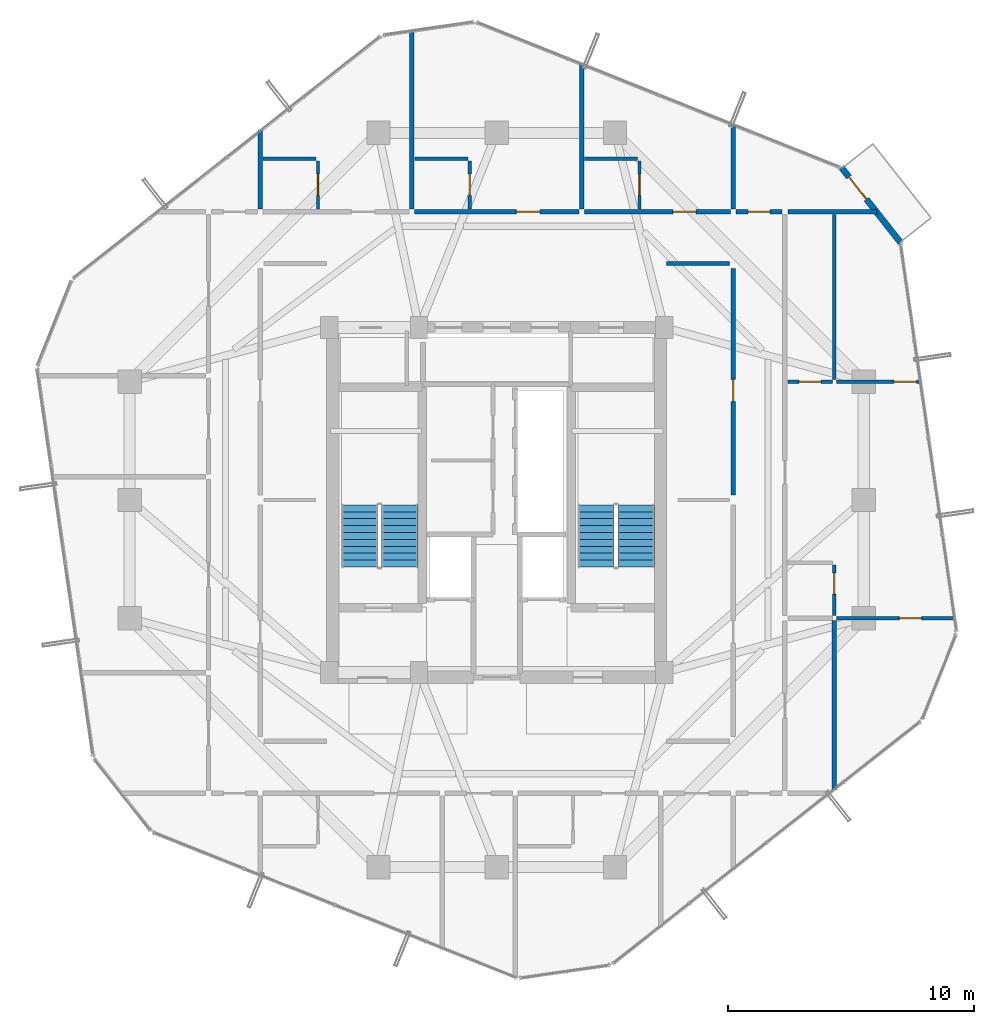
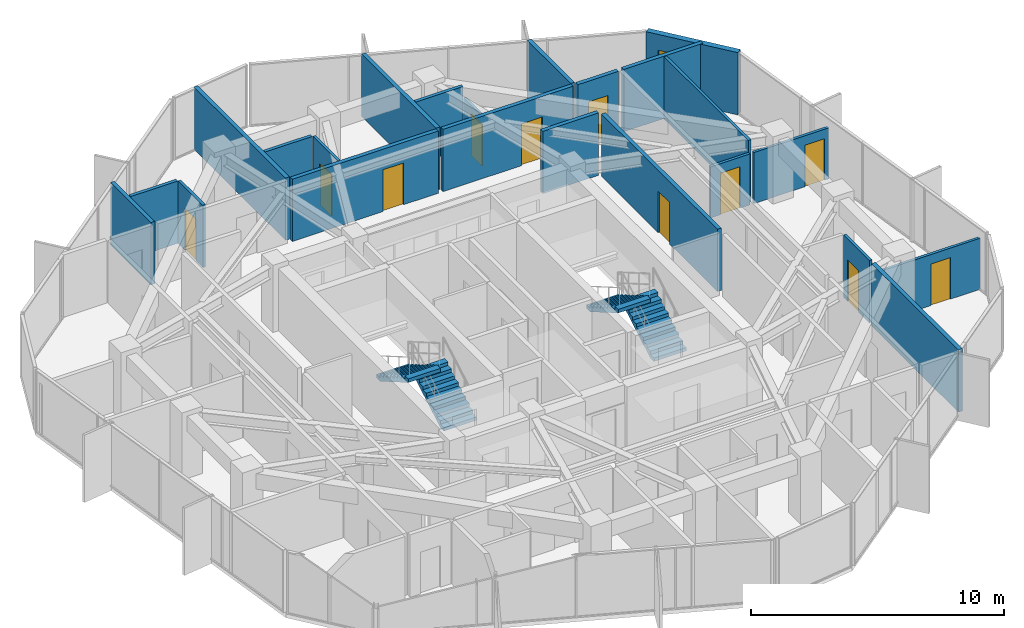
# One storey, part 29 of 31: 23 walls, 12 doors, 4 stair flights, 12 openings, 2 elements without a shape of their own.
"""IFC4 building model written with IfcOpenShell, lengths in metres."""

import ifcopenshell
import ifcopenshell.guid

model = None  # the IFC model being written
_history = None  # IfcOwnerHistory: only IFC2X3 demands one
_inside = {}  # id of a spatial element -> (the spatial element, [elements in it])
_under = {}  # id of a project, library or spatial element -> (it, [spatial elements below it])
_declared = {}  # id of a project -> (the project, [libraries it declares])
_typed = {}  # id of a type object -> (the type object, [elements of that type])
_made_of = {}  # id of a material, layer set ... -> (it, [elements and type objects made of it])


def new_model(schema):
    """Start an empty IFC model of exactly this schema.

    Asked for "IFC4X3", IfcOpenShell would pick the latest addendum, in which some entities
    have other attributes; the version numbers below select the first issue.
    IFC2X3 requires an IfcOwnerHistory on every rooted entity: one is made here for all.
    """
    global model, _history
    if schema == "IFC4X3":
        model = ifcopenshell.file(schema_version=(4, 3, 0, 0))
    else:
        model = ifcopenshell.file(schema=schema)
    _inside.clear()
    _under.clear()
    _declared.clear()
    _typed.clear()
    _made_of.clear()
    _history = None
    if model.schema == "IFC2X3":
        org = make("IfcOrganization", Name="unknown")
        user = make(
            "IfcPersonAndOrganization",
            ThePerson=make("IfcPerson", FamilyName="unknown"),
            TheOrganization=org,
        )
        app = make(
            "IfcApplication",
            ApplicationDeveloper=org,
            Version="unknown",
            ApplicationFullName="unknown",
            ApplicationIdentifier="unknown",
        )
        _history = make(
            "IfcOwnerHistory",
            OwningUser=user,
            OwningApplication=app,
            ChangeAction="ADDED",
            CreationDate=0,
        )
    return model


def make(cls, **values):
    """One entity of the class cls with the attributes given. An attribute that is None is left unset."""
    return model.create_entity(
        cls, **{name: value for name, value in values.items() if value is not None}
    )


def rooted(cls, **values):
    """An entity with a GlobalId (a new one), such as an element, a storey or a relation."""
    return make(cls, GlobalId=ifcopenshell.guid.new(), OwnerHistory=_history, **values)


def si_unit(unit_type, name, prefix=None):
    """IfcSIUnit, for example si_unit("LENGTHUNIT", "METRE", prefix="MILLI")."""
    return make("IfcSIUnit", UnitType=unit_type, Prefix=prefix, Name=name)


def assignment(units):
    """IfcUnitAssignment: the units of a project."""
    return None if units is None else make("IfcUnitAssignment", Units=units)


def point(xyz):
    """IfcCartesianPoint."""
    return None if xyz is None else make("IfcCartesianPoint", Coordinates=xyz)


def direction(xyz):
    """IfcDirection."""
    return None if xyz is None else make("IfcDirection", DirectionRatios=xyz)


def frame(location, z_axis=None, x_axis=None):
    """IfcAxis2Placement3D, a coordinate frame: its origin and axes. An axis left out is left unset."""
    return make(
        "IfcAxis2Placement3D",
        Location=point(location),
        Axis=direction(z_axis),
        RefDirection=direction(x_axis),
    )


def frame_2d(location, x_axis=None):
    """IfcAxis2Placement2D, a coordinate frame in the plane: its origin and x axis."""
    return make(
        "IfcAxis2Placement2D", Location=point(location), RefDirection=direction(x_axis)
    )


def origin():
    """The frame at (0, 0, 0) with its axes left unset."""
    return frame((0.0, 0.0, 0.0))


def place(relative_to, where):
    """IfcLocalPlacement: puts the frame where relative to a parent placement (None: the world)."""
    return make(
        "IfcLocalPlacement", PlacementRelTo=relative_to, RelativePlacement=where
    )


def context(
    kind, dimensions, precision=None, world=None, true_north=None, identifier=None
):
    """IfcGeometricRepresentationContext, for example the 3D "Model" context."""
    return make(
        "IfcGeometricRepresentationContext",
        ContextIdentifier=identifier,
        ContextType=kind,
        CoordinateSpaceDimension=dimensions,
        Precision=precision,
        WorldCoordinateSystem=world,
        TrueNorth=true_north,
    )


def subcontext(parent, identifier, kind, view, scale=None):
    """IfcGeometricRepresentationSubContext, for example "Body" below "Model"."""
    return make(
        "IfcGeometricRepresentationSubContext",
        ContextIdentifier=identifier,
        ContextType=kind,
        ParentContext=parent,
        TargetScale=scale,
        TargetView=view,
    )


def project(units=None, contexts=None):
    """IfcProject with its units and contexts."""
    return rooted(
        "IfcProject",
        Name="project",
        RepresentationContexts=contexts,
        UnitsInContext=assignment(units),
    )


def spatial(cls, under=None, at=None, **own):
    """A site, building, storey or space (cls), placed at a placement, below another one or the project."""
    s = rooted(cls, ObjectPlacement=at, **own)
    if under is not None:
        _under.setdefault(under.id(), (under, []))[1].append(s)
    return s


def polyline(points):
    """IfcPolyline through the points."""
    return make("IfcPolyline", Points=[point(p) for p in points])


def profile(cls, at=None, kind="AREA", **sizes):
    """A parametric profile (cls). Its sizes go by their IFC names, for example OverallWidth=200.0."""
    return make(cls, ProfileType=kind, Position=at, **sizes)


def rectangle(**sizes):
    """IfcRectangleProfileDef."""
    return profile("IfcRectangleProfileDef", **sizes)


def outline(outer, holes=None, kind="AREA"):
    """IfcArbitraryClosedProfileDef: a profile drawn as a closed curve; with holes, ...WithVoids."""
    if holes is None:
        return make("IfcArbitraryClosedProfileDef", ProfileType=kind, OuterCurve=outer)
    return make(
        "IfcArbitraryProfileDefWithVoids",
        ProfileType=kind,
        OuterCurve=outer,
        InnerCurves=holes,
    )


def extrude(swept, where, along, depth):
    """IfcExtrudedAreaSolid: the profile swept, set in the frame where, extruded along a direction by depth."""
    return make(
        "IfcExtrudedAreaSolid",
        SweptArea=swept,
        Position=where,
        ExtrudedDirection=direction(along),
        Depth=depth,
    )


def shape(context_of_items, identifier, shape_type, items):
    """IfcShapeRepresentation: the items that make up one representation, for example the "Body"."""
    return make(
        "IfcShapeRepresentation",
        ContextOfItems=context_of_items,
        RepresentationIdentifier=identifier,
        RepresentationType=shape_type,
        Items=items,
    )


def source(mapping_origin, context_of_items, identifier, shape_type, items):
    """IfcRepresentationMap: a shape defined once, which mapped items show again and again."""
    return make(
        "IfcRepresentationMap",
        MappingOrigin=mapping_origin,
        MappedRepresentation=shape(context_of_items, identifier, shape_type, items),
    )


def transform(
    local_origin,
    x_axis=None,
    y_axis=None,
    z_axis=None,
    scale=None,
    scale2=None,
    scale3=None,
    uniform=True,
):
    """IfcCartesianTransformationOperator3D, or its non-uniform kind. x_axis, y_axis, z_axis: its Axis1, 2, 3."""
    if uniform:
        return make(
            "IfcCartesianTransformationOperator3D",
            Axis1=direction(x_axis),
            Axis2=direction(y_axis),
            LocalOrigin=point(local_origin),
            Scale=scale,
            Axis3=direction(z_axis),
        )
    return make(
        "IfcCartesianTransformationOperator3DnonUniform",
        Axis1=direction(x_axis),
        Axis2=direction(y_axis),
        LocalOrigin=point(local_origin),
        Scale=scale,
        Axis3=direction(z_axis),
        Scale2=scale2,
        Scale3=scale3,
    )


def mapped(mapping_source, mapping_target):
    """IfcMappedItem: shows the shape of a source again, moved by a transform."""
    return make(
        "IfcMappedItem", MappingSource=mapping_source, MappingTarget=mapping_target
    )


def material(Name=None, Category=None):
    """IfcMaterial."""
    return make("IfcMaterial", Name=Name, Category=Category)


def layer(
    of_material, thickness, ventilated=None, Name=None, Category=None, Priority=None
):
    """IfcMaterialLayer: one layer of a wall or slab, of a material (None: an air gap)."""
    return make(
        "IfcMaterialLayer",
        Material=of_material,
        LayerThickness=thickness,
        IsVentilated=ventilated,
        Name=Name,
        Category=Category,
        Priority=Priority,
    )


def layer_set(layers, Name=None):
    """IfcMaterialLayerSet."""
    return make("IfcMaterialLayerSet", MaterialLayers=layers, LayerSetName=Name)


def made_of(thing, what):
    """Note that an element or type object is made of a material, layer set ...; save() writes the relation."""
    if what is not None:
        _made_of.setdefault(what.id(), (what, []))[1].append(thing)
    return thing


def type_object(cls, material=None, **own):
    """A type object (cls), such as IfcWallType, which elements share."""
    return made_of(rooted(cls, **own), material)


def element(
    cls,
    number,
    at=None,
    inside=None,
    cuts=None,
    type_object=None,
    material=None,
    context=None,
    identifier="Body",
    shape_type=None,
    held_by="IfcProductDefinitionShape",
    body=None,
    shapes=None,
    **own,
):
    """One element of the class cls, such as IfcWall. Its Tag is "e" and its number.

    at: its placement. inside: the storey or other place that contains it. cuts: it is an
    opening in that element (IfcRelVoidsElement). A single representation is given by context,
    identifier, shape_type and body (its items); several are given by shapes. held_by: the class
    of the entity that holds the representations. save() writes the other relations.
    """
    e = rooted(cls, Tag="e%d" % number, ObjectPlacement=at, **own)
    if body is not None:
        shapes = [shape(context, identifier, shape_type, body)]
    if shapes is not None:
        e.Representation = make(held_by, Representations=shapes)
    if inside is not None:
        _inside.setdefault(inside.id(), (inside, []))[1].append(e)
    if cuts is not None:
        rooted(
            "IfcRelVoidsElement", RelatingBuildingElement=cuts, RelatedOpeningElement=e
        )
    if type_object is not None:
        _typed.setdefault(type_object.id(), (type_object, []))[1].append(e)
    return made_of(e, material)


def fill(opening, filler):
    """IfcRelFillsElement: the door or window that sits in an opening."""
    return rooted(
        "IfcRelFillsElement",
        RelatingOpeningElement=opening,
        RelatedBuildingElement=filler,
    )


def aggregate(whole, parts):
    """IfcRelAggregates: a whole, such as a stair, and the parts it consists of."""
    return rooted("IfcRelAggregates", RelatingObject=whole, RelatedObjects=parts)


def save(model, path):
    """Write the relations noted so far, then the file.

    IfcRelAggregates (storeys below a building ...), IfcRelContainedInSpatialStructure (elements
    in a storey), IfcRelDefinesByType, IfcRelAssociatesMaterial and IfcRelDeclares: one each for
    every whole, place, type object, material and project.
    """
    for whole, parts in _under.values():
        aggregate(whole, parts)
    for where, things in _inside.values():
        rooted(
            "IfcRelContainedInSpatialStructure",
            RelatedElements=things,
            RelatingStructure=where,
        )
    for kind, things in _typed.values():
        rooted("IfcRelDefinesByType", RelatedObjects=things, RelatingType=kind)
    for what, things in _made_of.values():
        rooted("IfcRelAssociatesMaterial", RelatedObjects=things, RelatingMaterial=what)
    for by, libraries in _declared.values():
        rooted("IfcRelDeclares", RelatingContext=by, RelatedDefinitions=libraries)
    model.write(path)


model = new_model("IFC4")

# Units and contexts
model_context = context("Model", 3, precision=1e-05, world=origin(), true_north=direction((0.0, 1.0)))
body_context = subcontext(model_context, "Body", "Model", "MODEL_VIEW")
ifc_project = project(units=[si_unit("LENGTHUNIT", "METRE"), si_unit("AREAUNIT", "SQUARE_METRE"), si_unit("VOLUMEUNIT", "CUBIC_METRE"), si_unit("PLANEANGLEUNIT", "RADIAN"), si_unit("MASSUNIT", "GRAM", prefix="KILO")], contexts=[model_context])

# Site, building, storey
site_placement = place(None, origin())
site = spatial("IfcSite", under=ifc_project, at=site_placement, CompositionType="ELEMENT")
building_placement = place(site_placement, origin())
building = spatial("IfcBuilding", under=site, at=building_placement, Name="Veraguas Prism Commons", CompositionType="ELEMENT")
storey_placement = place(building_placement, frame((0.0, 0.0, 178.85009765625)))
storey = spatial("IfcBuildingStorey", under=building, at=storey_placement, Name="L50", CompositionType="ELEMENT", Elevation=178.85009765625)

# Wall, opening, door
ifc_material_1 = material(Name="Autoclaved aerated masonry block 10 MPa", Category="masonry")
ifc_layer_1 = layer(ifc_material_1, 0.179931640625, Name="Corridor and Inter-Tenancy Partition 180", Category="masonry")
ifc_layer_set_1 = layer_set([ifc_layer_1], Name="Autoclaved aerated masonry block 10 MPa")
wall_type_1 = type_object("IfcWallType", Name="Corridor and Inter-Tenancy Partition 180", PredefinedType="PARTITIONING", material=ifc_layer_set_1)
wall_1_placement = place(storey_placement, frame((33.60009765625, 24.199951171875, 0.0), z_axis=(0.0, 0.0, 1.0), x_axis=(0.0, 1.0, 0.0)))
wall_1 = element("IfcWall", 1, at=wall_1_placement, inside=storey, type_object=wall_type_1, Name="WL-L50-IRE2", PredefinedType="PARTITIONING", context=body_context, shape_type="SweptSolid", body=[
    extrude(rectangle(XDim=9.199951171875, YDim=0.179931640625, at=frame_2d((4.60009765625, 0.0))), origin(), (0.0, 0.0, 1.0), 3.014892578125),
])
opening_1_placement = place(wall_1_placement, frame((3.800048828125, 0.0, 0.0)))
opening_1 = element("IfcOpeningElement", 2, at=opening_1_placement, cuts=wall_1, Name="Opening DR-14", PredefinedType="OPENING", context=body_context, shape_type="SweptSolid", body=[
    extrude(rectangle(XDim=0.89990234375, YDim=2.010009765625, at=frame_2d((0.449951171875, 1.0048828125))), frame((0.0, 0.099853515625, 0.0), z_axis=(0.0, -1.0, 0.0), x_axis=(1.0, 0.0, 0.0)), (0.0, 0.0, 1.0), 0.199951171875),
])
ifc_material_2 = material(Name="Steel fire-rated door assembly", Category="steel")
door_type_1 = type_object("IfcDoorType", Name="Core Service Room Fire Door 900x2010", OperationType="NOTDEFINED", PredefinedType="DOOR", material=ifc_material_2)
shared_shape_1 = source(origin(), body_context, "Body", "SweptSolid", [
    extrude(rectangle(XDim=0.89990234375, YDim=2.010009765625, at=frame_2d((0.449951171875, 1.0048828125))), frame((0.0, 0.02490234375, 0.0), z_axis=(0.0, -1.0, 0.0), x_axis=(1.0, 0.0, 0.0)), (0.0, 0.0, 1.0), 0.050048828125),
])
door_1_placement = place(opening_1_placement, origin())
door_1 = element("IfcDoor", 3, at=door_1_placement, inside=storey, type_object=door_type_1, Name="Community Reading Alcove Door L50", OperationType="SINGLE_SWING_RIGHT", OverallHeight=2.010009765625, OverallWidth=0.89990234375, PredefinedType="DOOR", context=body_context, shape_type="MappedRepresentation", body=[
    mapped(shared_shape_1, transform((0.0, 0.0, 0.0), scale=1.0)),
])
fill(opening_1, door_1)

# Walls
wall_2_placement = place(storey_placement, frame((30.89990234375, 33.60009765625, 0.0), z_axis=(0.0, 0.0, 1.0), x_axis=(1.0, 0.0, 0.0)))
element("IfcWall", 4, at=wall_2_placement, inside=storey, type_object=wall_type_1, Name="WL-L50-IREN", PredefinedType="PARTITIONING", context=body_context, shape_type="SweptSolid", body=[
    extrude(rectangle(XDim=2.550048828125, YDim=0.179931640625, at=frame_2d((1.27490234375, 0.0))), origin(), (0.0, 0.0, 1.0), 3.014892578125),
])
wall_3_placement = place(storey_placement, frame((14.39990234375, 35.820068359375, 0.0), z_axis=(0.0, 0.0, 1.0), x_axis=(0.0, 1.0, 0.0)))
element("IfcWall", 5, at=wall_3_placement, inside=storey, type_object=wall_type_1, Name="WL-L50-PT014", PredefinedType="PARTITIONING", context=body_context, shape_type="SweptSolid", body=[
    extrude(rectangle(XDim=3.20068359375, YDim=0.179931640625, at=frame_2d((1.600341796875, 0.0))), origin(), (0.0, 0.0, 1.0), 3.014892578125),
])
wall_4_placement = place(storey_placement, frame((33.60009765625, 35.820068359375, 0.0), z_axis=(0.0, 0.0, 1.0), x_axis=(0.0, 1.0, 0.0)))
element("IfcWall", 6, at=wall_4_placement, inside=storey, type_object=wall_type_1, Name="WL-L50-PT015", PredefinedType="PARTITIONING", context=body_context, shape_type="SweptSolid", body=[
    extrude(rectangle(XDim=3.447998046875, YDim=0.179931640625, at=frame_2d((1.72412109375, 0.0))), origin(), (0.0, 0.0, 1.0), 3.014892578125),
])
wall_5_placement = place(storey_placement, frame((20.555908203125, 35.820068359375, 0.0), z_axis=(0.0, 0.0, 1.0), x_axis=(0.0, 1.0, 0.0)))
element("IfcWall", 7, at=wall_5_placement, inside=storey, type_object=wall_type_1, Name="WL-L50-PT019", PredefinedType="PARTITIONING", context=body_context, shape_type="SweptSolid", body=[
    extrude(rectangle(XDim=7.256591796875, YDim=0.179931640625, at=frame_2d((3.62841796875, 0.0))), origin(), (0.0, 0.0, 1.0), 3.014892578125),
])

# Wall, opening, door
wall_6_placement = place(storey_placement, frame((20.666015625, 35.699951171875, 0.0), z_axis=(0.0, 0.0, 1.0), x_axis=(1.0, 0.0, 0.0)))
wall_6 = element("IfcWall", 8, at=wall_6_placement, inside=storey, type_object=wall_type_1, Name="WL-L50-PT020", PredefinedType="PARTITIONING", context=body_context, shape_type="SweptSolid", body=[
    extrude(rectangle(XDim=6.66796875, YDim=0.179931640625, at=frame_2d((3.333984375, 0.0))), origin(), (0.0, 0.0, 1.0), 3.014892578125),
])
opening_2_placement = place(wall_6_placement, frame((4.13525390625, 0.0, 0.0)))
opening_2 = element("IfcOpeningElement", 9, at=opening_2_placement, cuts=wall_6, Name="Opening DR-01", PredefinedType="OPENING", context=body_context, shape_type="SweptSolid", body=[
    extrude(rectangle(XDim=0.949951171875, YDim=2.02001953125, at=frame_2d((0.47509765625, 1.010009765625))), frame((0.0, 0.099853515625, 0.0), z_axis=(0.0, -1.0, 0.0), x_axis=(1.0, 0.0, 0.0)), (0.0, 0.0, 1.0), 0.199951171875),
])
ifc_material_3 = material(Name="Anodised aluminium EN AW-6063 T6", Category="aluminium")
door_type_2 = type_object("IfcDoorType", Name="Apartment Entrance Fire Door 950x2020", OperationType="NOTDEFINED", PredefinedType="DOOR", material=ifc_material_3)
shared_shape_2 = source(origin(), body_context, "Body", "SweptSolid", [
    extrude(rectangle(XDim=0.949951171875, YDim=2.02001953125, at=frame_2d((0.47509765625, 1.010009765625))), frame((0.0, 0.02490234375, 0.0), z_axis=(0.0, -1.0, 0.0), x_axis=(1.0, 0.0, 0.0)), (0.0, 0.0, 1.0), 0.050048828125),
])
door_2_placement = place(opening_2_placement, origin())
door_2 = element("IfcDoor", 10, at=door_2_placement, inside=storey, type_object=door_type_2, Name="Studio 50D Entrance Door", OperationType="SINGLE_SWING_LEFT", OverallHeight=2.02001953125, OverallWidth=0.949951171875, PredefinedType="DOOR", context=body_context, shape_type="MappedRepresentation", body=[
    mapped(shared_shape_2, transform((0.0, 0.0, 0.0), scale=1.0)),
])
fill(opening_2, door_2)

# Wall
wall_7_placement = place(storey_placement, frame((27.444091796875, 35.820068359375, 0.0), z_axis=(0.0, 0.0, 1.0), x_axis=(0.0, 1.0, 0.0)))
element("IfcWall", 11, at=wall_7_placement, inside=storey, type_object=wall_type_1, Name="WL-L50-PT023", PredefinedType="PARTITIONING", context=body_context, shape_type="SweptSolid", body=[
    extrude(rectangle(XDim=5.90771484375, YDim=0.179931640625, at=frame_2d((2.953857421875, 0.0))), origin(), (0.0, 0.0, 1.0), 3.014892578125),
])

# Wall, opening, door
wall_8_placement = place(storey_placement, frame((27.553955078125, 35.699951171875, 0.0), z_axis=(0.0, 0.0, 1.0), x_axis=(1.0, 0.0, 0.0)))
wall_8 = element("IfcWall", 12, at=wall_8_placement, inside=storey, type_object=wall_type_1, Name="WL-L50-PT024", PredefinedType="PARTITIONING", context=body_context, shape_type="SweptSolid", body=[
    extrude(rectangle(XDim=5.93603515625, YDim=0.179931640625, at=frame_2d((2.968017578125, 0.0))), origin(), (0.0, 0.0, 1.0), 3.014892578125),
])
opening_3_placement = place(wall_8_placement, frame((3.593505859375, 0.0, 0.0)))
opening_3 = element("IfcOpeningElement", 13, at=opening_3_placement, cuts=wall_8, Name="Opening DR-01", PredefinedType="OPENING", context=body_context, shape_type="SweptSolid", body=[
    extrude(rectangle(XDim=0.949951171875, YDim=2.02001953125, at=frame_2d((0.47509765625, 1.010009765625))), frame((0.0, 0.099853515625, 0.0), z_axis=(0.0, -1.0, 0.0), x_axis=(1.0, 0.0, 0.0)), (0.0, 0.0, 1.0), 0.199951171875),
])
door_3_placement = place(opening_3_placement, origin())
door_3 = element("IfcDoor", 14, at=door_3_placement, inside=storey, type_object=door_type_2, Name="Studio 50E Entrance Door", OperationType="SINGLE_SWING_LEFT", OverallHeight=2.02001953125, OverallWidth=0.949951171875, PredefinedType="DOOR", context=body_context, shape_type="MappedRepresentation", body=[
    mapped(shared_shape_2, transform((0.0, 0.0, 0.0), scale=1.0)),
])
fill(opening_3, door_3)

# Walls
wall_9_placement = place(storey_placement, frame((35.820068359375, 35.699951171875, 0.0), z_axis=(0.0, 0.0, 1.0), x_axis=(1.0, 0.0, 0.0)))
element("IfcWall", 15, at=wall_9_placement, inside=storey, type_object=wall_type_1, Name="WL-L50-PT037", PredefinedType="PARTITIONING", context=body_context, shape_type="SweptSolid", body=[
    extrude(rectangle(XDim=3.625244140625, YDim=0.179931640625, at=frame_2d((1.8125, 0.0))), origin(), (0.0, 0.0, 1.0), 3.014892578125),
])
wall_10_placement = place(storey_placement, frame((37.699951171875, 12.219970703125, 0.0), z_axis=(0.0, 0.0, 1.0), x_axis=(0.0, 1.0, 0.0)))
element("IfcWall", 16, at=wall_10_placement, inside=storey, type_object=wall_type_1, Name="WL-L50-PT040", PredefinedType="PARTITIONING", context=body_context, shape_type="SweptSolid", body=[
    extrude(rectangle(XDim=6.880126953125, YDim=0.179931640625, at=frame_2d((3.43994140625, 0.0))), origin(), (0.0, 0.0, 1.0), 3.014892578125),
])

# Wall, opening, door
wall_11_placement = place(storey_placement, frame((33.719970703125, 35.699951171875, 0.0), z_axis=(0.0, 0.0, 1.0), x_axis=(1.0, 0.0, 0.0)))
wall_11 = element("IfcWall", 17, at=wall_11_placement, inside=storey, type_object=wall_type_1, Name="WL-L50-PT051", PredefinedType="PARTITIONING", context=body_context, shape_type="SweptSolid", body=[
    extrude(rectangle(XDim=1.860107421875, YDim=0.179931640625, at=frame_2d((0.93017578125, 0.0))), origin(), (0.0, 0.0, 1.0), 3.014892578125),
])
opening_4_placement = place(wall_11_placement, frame((0.47998046875, 0.0, 0.0)))
opening_4 = element("IfcOpeningElement", 18, at=opening_4_placement, cuts=wall_11, Name="Opening DR-14", PredefinedType="OPENING", context=body_context, shape_type="SweptSolid", body=[
    extrude(rectangle(XDim=0.89990234375, YDim=2.010009765625, at=frame_2d((0.449951171875, 1.0048828125))), frame((0.0, 0.099853515625, 0.0), z_axis=(0.0, -1.0, 0.0), x_axis=(1.0, 0.0, 0.0)), (0.0, 0.0, 1.0), 0.199951171875),
])
door_4_placement = place(opening_4_placement, origin())
door_4 = element("IfcDoor", 19, at=door_4_placement, inside=storey, type_object=door_type_1, Name="Shared Laundry Room NE Door", OperationType="SINGLE_SWING_RIGHT", OverallHeight=2.010009765625, OverallWidth=0.89990234375, PredefinedType="DOOR", context=body_context, shape_type="MappedRepresentation", body=[
    mapped(shared_shape_1, transform((0.0, 0.0, 0.0), scale=1.0)),
])
fill(opening_4, door_4)

ifc_material_4 = material(Name="Precast concrete C40/50", Category="concrete")
ifc_layer_2 = layer(ifc_material_4, 0.25, Name="External Loggia and Portal Wall 250", Category="concrete")
ifc_layer_set_2 = layer_set([ifc_layer_2], Name="Precast concrete C40/50")
wall_type_2 = type_object("IfcWallType", Name="External Loggia and Portal Wall 250", PredefinedType="SOLIDWALL", material=ifc_layer_set_2)
wall_12_placement = place(storey_placement, frame((40.40771484375, 34.4296875, 0.0), z_axis=(0.0, 0.0, 1.0), x_axis=(-0.618713620212, 0.78561660889, 0.0)))
wall_12 = element("IfcWall", 20, at=wall_12_placement, inside=storey, type_object=wall_type_2, Name="Corner Loggia Wall L50-C1", PredefinedType="SOLIDWALL", context=body_context, shape_type="SweptSolid", body=[
    extrude(rectangle(XDim=3.914306640625, YDim=0.25, at=frame_2d((1.95703125, 0.0))), origin(), (0.0, 0.0, 1.0), 3.014892578125),
])
opening_5_placement = place(wall_12_placement, frame((2.260009765625, 0.0, 0.0)))
opening_5 = element("IfcOpeningElement", 21, at=opening_5_placement, cuts=wall_12, Name="Opening DR-10", PredefinedType="OPENING", context=body_context, shape_type="SweptSolid", body=[
    extrude(rectangle(XDim=1.14990234375, YDim=2.25, at=frame_2d((0.574951171875, 1.125))), frame((0.0, 0.135009765625, 0.0), z_axis=(0.0, -1.0, 0.0), x_axis=(1.0, 0.0, 0.0)), (0.0, 0.0, 1.0), 0.27001953125),
])
door_type_3 = type_object("IfcDoorType", Name="Glazed Loggia and Terrace Door 1150x2250", OperationType="NOTDEFINED", PredefinedType="DOOR", material=ifc_material_3)
shared_shape_3 = source(origin(), body_context, "Body", "SweptSolid", [
    extrude(rectangle(XDim=1.14990234375, YDim=2.25, at=frame_2d((0.574951171875, 1.125))), frame((0.0, 0.02490234375, 0.0), z_axis=(0.0, -1.0, 0.0), x_axis=(1.0, 0.0, 0.0)), (0.0, 0.0, 1.0), 0.050048828125),
])
door_5_placement = place(opening_5_placement, frame((1.14990234375, 0.0, 0.0), z_axis=(0.0, 0.0, 1.0), x_axis=(-1.0, 0.0, 0.0)))
door_5 = element("IfcDoor", 22, at=door_5_placement, inside=storey, type_object=door_type_3, Name="Recessed Loggia Door L50-C1", OperationType="SINGLE_SWING_RIGHT", OverallHeight=2.25, OverallWidth=1.14990234375, PredefinedType="DOOR", context=body_context, shape_type="MappedRepresentation", body=[
    mapped(shared_shape_3, transform((0.0, 0.0, 0.0), scale=1.0)),
])
fill(opening_5, door_5)

ifc_material_5 = material(Name="Lightweight acoustic gypsum board")
ifc_layer_3 = layer(ifc_material_5, 0.125, Name="Internal Apartment Room Partition 125")
ifc_layer_set_3 = layer_set([ifc_layer_3], Name="Lightweight acoustic gypsum board")
wall_type_3 = type_object("IfcWallType", Name="Internal Apartment Room Partition 125", PredefinedType="PARTITIONING", material=ifc_layer_set_3)
wall_13_placement = place(storey_placement, frame((16.75, 35.820068359375, 0.0), z_axis=(0.0, 0.0, 1.0), x_axis=(0.0, 1.0, 0.0)))
wall_13 = element("IfcWall", 23, at=wall_13_placement, inside=storey, type_object=wall_type_3, Name="WL-L50-PT017", PredefinedType="PARTITIONING", context=body_context, shape_type="SweptSolid", body=[
    extrude(rectangle(XDim=1.949951171875, YDim=0.125, at=frame_2d((0.97509765625, 0.0))), origin(), (0.0, 0.0, 1.0), 3.014892578125),
])
opening_6_placement = place(wall_13_placement, frame((0.544921875, 0.0, 0.0)))
opening_6 = element("IfcOpeningElement", 24, at=opening_6_placement, cuts=wall_13, Name="Opening DR-03", PredefinedType="OPENING", context=body_context, shape_type="SweptSolid", body=[
    extrude(rectangle(XDim=0.860107421875, YDim=2.010009765625, at=frame_2d((0.43017578125, 1.0048828125))), frame((0.0, 0.072509765625, 0.0), z_axis=(0.0, -1.0, 0.0), x_axis=(1.0, 0.0, 0.0)), (0.0, 0.0, 1.0), 0.14501953125),
])
ifc_material_6 = material(Name="Timber moisture-resistant leaf", Category="wood")
door_type_4 = type_object("IfcDoorType", Name="Internal Bathroom Door 860x2010", OperationType="NOTDEFINED", PredefinedType="DOOR", material=ifc_material_6)
shared_shape_4 = source(origin(), body_context, "Body", "SweptSolid", [
    extrude(rectangle(XDim=0.860107421875, YDim=2.010009765625, at=frame_2d((0.43017578125, 1.0048828125))), frame((0.0, 0.02490234375, 0.0), z_axis=(0.0, -1.0, 0.0), x_axis=(1.0, 0.0, 0.0)), (0.0, 0.0, 1.0), 0.050048828125),
])
door_6_placement = place(opening_6_placement, origin())
door_6 = element("IfcDoor", 25, at=door_6_placement, inside=storey, type_object=door_type_4, Name="Studio 50C Bathroom Door", OperationType="SINGLE_SWING_RIGHT", OverallHeight=2.010009765625, OverallWidth=0.860107421875, PredefinedType="DOOR", context=body_context, shape_type="MappedRepresentation", body=[
    mapped(shared_shape_4, transform((0.0, 0.0, 0.0), scale=1.0)),
])
fill(opening_6, door_6)

wall_14_placement = place(storey_placement, frame((22.906005859375, 35.820068359375, 0.0), z_axis=(0.0, 0.0, 1.0), x_axis=(0.0, 1.0, 0.0)))
wall_14 = element("IfcWall", 26, at=wall_14_placement, inside=storey, type_object=wall_type_3, Name="WL-L50-PT021", PredefinedType="PARTITIONING", context=body_context, shape_type="SweptSolid", body=[
    extrude(rectangle(XDim=1.949951171875, YDim=0.125, at=frame_2d((0.97509765625, 0.0))), origin(), (0.0, 0.0, 1.0), 3.014892578125),
])
opening_7_placement = place(wall_14_placement, frame((0.544921875, 0.0, 0.0)))
opening_7 = element("IfcOpeningElement", 27, at=opening_7_placement, cuts=wall_14, Name="Opening DR-03", PredefinedType="OPENING", context=body_context, shape_type="SweptSolid", body=[
    extrude(rectangle(XDim=0.860107421875, YDim=2.010009765625, at=frame_2d((0.43017578125, 1.0048828125))), frame((0.0, 0.072509765625, 0.0), z_axis=(0.0, -1.0, 0.0), x_axis=(1.0, 0.0, 0.0)), (0.0, 0.0, 1.0), 0.14501953125),
])
door_7_placement = place(opening_7_placement, origin())
door_7 = element("IfcDoor", 28, at=door_7_placement, inside=storey, type_object=door_type_4, Name="Studio 50D Bathroom Door", OperationType="SINGLE_SWING_RIGHT", OverallHeight=2.010009765625, OverallWidth=0.860107421875, PredefinedType="DOOR", context=body_context, shape_type="MappedRepresentation", body=[
    mapped(shared_shape_4, transform((0.0, 0.0, 0.0), scale=1.0)),
])
fill(opening_7, door_7)

wall_15_placement = place(storey_placement, frame((29.7939453125, 35.820068359375, 0.0), z_axis=(0.0, 0.0, 1.0), x_axis=(0.0, 1.0, 0.0)))
wall_15 = element("IfcWall", 29, at=wall_15_placement, inside=storey, type_object=wall_type_3, Name="WL-L50-PT025", PredefinedType="PARTITIONING", context=body_context, shape_type="SweptSolid", body=[
    extrude(rectangle(XDim=1.949951171875, YDim=0.125, at=frame_2d((0.97509765625, 0.0))), origin(), (0.0, 0.0, 1.0), 2.468994140625),
])
opening_8_placement = place(wall_15_placement, frame((0.544921875, 0.0, 0.0)))
opening_8 = element("IfcOpeningElement", 30, at=opening_8_placement, cuts=wall_15, Name="Opening DR-03", PredefinedType="OPENING", context=body_context, shape_type="SweptSolid", body=[
    extrude(rectangle(XDim=0.860107421875, YDim=2.010009765625, at=frame_2d((0.43017578125, 1.0048828125))), frame((0.0, 0.072509765625, 0.0), z_axis=(0.0, -1.0, 0.0), x_axis=(1.0, 0.0, 0.0)), (0.0, 0.0, 1.0), 0.14501953125),
])
door_8_placement = place(opening_8_placement, origin())
door_8 = element("IfcDoor", 31, at=door_8_placement, inside=storey, type_object=door_type_4, Name="Studio 50E Bathroom Door", OperationType="SINGLE_SWING_RIGHT", OverallHeight=2.010009765625, OverallWidth=0.860107421875, PredefinedType="DOOR", context=body_context, shape_type="MappedRepresentation", body=[
    mapped(shared_shape_4, transform((0.0, 0.0, 0.0), scale=1.0)),
])
fill(opening_8, door_8)

wall_16_placement = place(storey_placement, frame((37.800048828125, 19.199951171875, 0.0), z_axis=(0.0, 0.0, 1.0), x_axis=(1.0, 0.0, 0.0)))
wall_16 = element("IfcWall", 32, at=wall_16_placement, inside=storey, type_object=wall_type_3, Name="WL-L50-PT042", PredefinedType="PARTITIONING", context=body_context, shape_type="SweptSolid", body=[
    extrude(rectangle(XDim=4.81787109375, YDim=0.125, at=frame_2d((2.408935546875, 0.0))), origin(), (0.0, 0.0, 1.0), 2.468994140625),
])
opening_9_placement = place(wall_16_placement, frame((2.545166015625, 0.0, 0.0)))
opening_9 = element("IfcOpeningElement", 33, at=opening_9_placement, cuts=wall_16, Name="Opening DR-02", PredefinedType="OPENING", context=body_context, shape_type="SweptSolid", body=[
    extrude(rectangle(XDim=0.89990234375, YDim=2.010009765625, at=frame_2d((0.449951171875, 1.0048828125))), frame((0.0, 0.072509765625, 0.0), z_axis=(0.0, -1.0, 0.0), x_axis=(1.0, 0.0, 0.0)), (0.0, 0.0, 1.0), 0.14501953125),
])
ifc_material_7 = material(Name="Timber solid core hardwood", Category="wood")
door_type_5 = type_object("IfcDoorType", Name="Internal Habitable Room Door 900x2010", OperationType="NOTDEFINED", PredefinedType="DOOR", material=ifc_material_7)
door_9_placement = place(opening_9_placement, origin())
door_9 = element("IfcDoor", 34, at=door_9_placement, inside=storey, type_object=door_type_5, Name="Flat 50F Bedroom 2 Door", OperationType="SINGLE_SWING_LEFT", OverallHeight=2.010009765625, OverallWidth=0.89990234375, PredefinedType="DOOR", context=body_context, shape_type="MappedRepresentation", body=[
    mapped(shared_shape_1, transform((0.0, 0.0, 0.0), scale=1.0)),
])
fill(opening_9, door_9)

wall_17_placement = place(storey_placement, frame((37.699951171875, 19.320068359375, 0.0), z_axis=(0.0, 0.0, 1.0), x_axis=(0.0, 1.0, 0.0)))
wall_17 = element("IfcWall", 35, at=wall_17_placement, inside=storey, type_object=wall_type_3, Name="WL-L50-PT044", PredefinedType="PARTITIONING", context=body_context, shape_type="SweptSolid", body=[
    extrude(rectangle(XDim=2.050048828125, YDim=0.125, at=frame_2d((1.02490234375, 0.0))), origin(), (0.0, 0.0, 1.0), 3.014892578125),
])
opening_10_placement = place(wall_17_placement, frame((0.8583984375, 0.0, 0.0)))
opening_10 = element("IfcOpeningElement", 36, at=opening_10_placement, cuts=wall_17, Name="Opening DR-03", PredefinedType="OPENING", context=body_context, shape_type="SweptSolid", body=[
    extrude(rectangle(XDim=0.860107421875, YDim=2.010009765625, at=frame_2d((0.43017578125, 1.0048828125))), frame((0.0, 0.072509765625, 0.0), z_axis=(0.0, -1.0, 0.0), x_axis=(1.0, 0.0, 0.0)), (0.0, 0.0, 1.0), 0.14501953125),
])
door_10_placement = place(opening_10_placement, origin())
door_10 = element("IfcDoor", 37, at=door_10_placement, inside=storey, type_object=door_type_4, Name="Flat 50F Bathroom Door", OperationType="SINGLE_SWING_RIGHT", OverallHeight=2.010009765625, OverallWidth=0.860107421875, PredefinedType="DOOR", context=body_context, shape_type="MappedRepresentation", body=[
    mapped(shared_shape_4, transform((0.0, 0.0, 0.0), scale=1.0)),
])
fill(opening_10, door_10)

wall_18_placement = place(storey_placement, frame((35.820068359375, 28.800048828125, 0.0), z_axis=(0.0, 0.0, 1.0), x_axis=(1.0, 0.0, 0.0)))
wall_18 = element("IfcWall", 38, at=wall_18_placement, inside=storey, type_object=wall_type_3, Name="WL-L50-PT045", PredefinedType="PARTITIONING", context=body_context, shape_type="SweptSolid", body=[
    extrude(rectangle(XDim=1.800048828125, YDim=0.125, at=frame_2d((0.89990234375, 0.0))), origin(), (0.0, 0.0, 1.0), 2.468994140625),
])
opening_11_placement = place(wall_18_placement, frame((0.449951171875, 0.0, 0.0)))
opening_11 = element("IfcOpeningElement", 39, at=opening_11_placement, cuts=wall_18, Name="Opening DR-02", PredefinedType="OPENING", context=body_context, shape_type="SweptSolid", body=[
    extrude(rectangle(XDim=0.89990234375, YDim=2.010009765625, at=frame_2d((0.449951171875, 1.0048828125))), frame((0.0, 0.072509765625, 0.0), z_axis=(0.0, -1.0, 0.0), x_axis=(1.0, 0.0, 0.0)), (0.0, 0.0, 1.0), 0.14501953125),
])
door_11_placement = place(opening_11_placement, origin())
door_11 = element("IfcDoor", 40, at=door_11_placement, inside=storey, type_object=door_type_5, Name="Flat 50F Kitchen Door", OperationType="SINGLE_SWING_LEFT", OverallHeight=2.010009765625, OverallWidth=0.89990234375, PredefinedType="DOOR", context=body_context, shape_type="MappedRepresentation", body=[
    mapped(shared_shape_1, transform((0.0, 0.0, 0.0), scale=1.0)),
])
fill(opening_11, door_11)

# Wall
wall_19_placement = place(storey_placement, frame((37.699951171875, 28.89990234375, 0.0), z_axis=(0.0, 0.0, 1.0), x_axis=(0.0, 1.0, 0.0)))
element("IfcWall", 41, at=wall_19_placement, inside=storey, type_object=wall_type_3, Name="WL-L50-PT046", PredefinedType="PARTITIONING", context=body_context, shape_type="SweptSolid", body=[
    extrude(rectangle(XDim=6.68017578125, YDim=0.125, at=frame_2d((3.340087890625, 0.0))), origin(), (0.0, 0.0, 1.0), 3.014892578125),
])

# Wall, opening, door
wall_20_placement = place(storey_placement, frame((37.800048828125, 28.800048828125, 0.0), z_axis=(0.0, 0.0, 1.0), x_axis=(1.0, 0.0, 0.0)))
wall_20 = element("IfcWall", 42, at=wall_20_placement, inside=storey, type_object=wall_type_3, Name="WL-L50-PT047", PredefinedType="PARTITIONING", context=body_context, shape_type="SweptSolid", body=[
    extrude(rectangle(XDim=3.430908203125, YDim=0.125, at=frame_2d((1.71533203125, 0.0))), origin(), (0.0, 0.0, 1.0), 2.468994140625),
])
opening_12_placement = place(wall_20_placement, frame((2.3310546875, 0.0, 0.0)))
opening_12 = element("IfcOpeningElement", 43, at=opening_12_placement, cuts=wall_20, Name="Opening DR-02", PredefinedType="OPENING", context=body_context, shape_type="SweptSolid", body=[
    extrude(rectangle(XDim=0.89990234375, YDim=2.010009765625, at=frame_2d((0.449951171875, 1.0048828125))), frame((0.0, 0.072509765625, 0.0), z_axis=(0.0, -1.0, 0.0), x_axis=(1.0, 0.0, 0.0)), (0.0, 0.0, 1.0), 0.14501953125),
])
door_12_placement = place(opening_12_placement, origin())
door_12 = element("IfcDoor", 44, at=door_12_placement, inside=storey, type_object=door_type_5, Name="Flat 50F Bedroom 1 Door", OperationType="SINGLE_SWING_RIGHT", OverallHeight=2.010009765625, OverallWidth=0.89990234375, PredefinedType="DOOR", context=body_context, shape_type="MappedRepresentation", body=[
    mapped(shared_shape_1, transform((0.0, 0.0, 0.0), scale=1.0)),
])
fill(opening_12, door_12)

# Walls
ifc_layer_4 = layer(ifc_material_5, 0.14990234375, Name="Wet Room and Clinic Acoustic Partition 150")
ifc_layer_set_4 = layer_set([ifc_layer_4], Name="Lightweight acoustic gypsum board")
wall_type_4 = type_object("IfcWallType", Name="Wet Room and Clinic Acoustic Partition 150", PredefinedType="PARTITIONING", material=ifc_layer_set_4)
for number, where, z_axis, x_axis, name in (
    (45, (14.52001953125, 37.85009765625, 0.0), (0.0, 0.0, 1.0), (1.0, 0.0, 0.0), "WL-L50-PT018"),
    (46, (20.676025390625, 37.85009765625, 0.0), (0.0, 0.0, 1.0), (1.0, 0.0, 0.0), "WL-L50-PT022"),
):
    element("IfcWall", number, at=place(storey_placement, frame(where, z_axis=z_axis, x_axis=x_axis)), inside=storey, type_object=wall_type_4, Name=name, PredefinedType="PARTITIONING", context=body_context, shape_type="SweptSolid", body=[
        extrude(rectangle(XDim=2.14990234375, YDim=0.14990234375, at=frame_2d((1.074951171875, 0.0))), origin(), (0.0, 0.0, 1.0), 3.014892578125),
    ])
wall_21_placement = place(storey_placement, frame((27.56396484375, 37.85009765625, 0.0), z_axis=(0.0, 0.0, 1.0), x_axis=(1.0, 0.0, 0.0)))
element("IfcWall", 47, at=wall_21_placement, inside=storey, type_object=wall_type_4, Name="WL-L50-PT026", PredefinedType="PARTITIONING", context=body_context, shape_type="SweptSolid", body=[
    extrude(rectangle(XDim=2.150146484375, YDim=0.14990234375, at=frame_2d((1.0751953125, 0.0))), origin(), (0.0, 0.0, 1.0), 3.014892578125),
])

# Stair, stair flights
ifc_material_8 = material(Name="Precast concrete C45/55", Category="concrete")
stair_type = type_object("IfcStairType", Name="Dogleg Core Stair 1480W 20R 05", PredefinedType="HALF_TURN_STAIR", material=ifc_material_8)
stair_1_placement = place(storey_placement, origin())
stair_1 = element("IfcStair", 48, at=stair_1_placement, inside=storey, type_object=stair_type, Name="Protected Exit Stair ST-01 L50", PredefinedType="HALF_TURN_STAIR")
stair_flight_type = type_object("IfcStairFlightType", Name="Precast Stair Flight 1480W 10R 05", PredefinedType="STRAIGHT", material=ifc_material_8)
stair_flight_1_placement = place(storey_placement, frame((20.06005859375, 21.280029296875, 0.0), z_axis=(0.0, 0.0, 1.0), x_axis=(0.0, 1.0, 0.0)))
stair_flight_1 = element("IfcStairFlight", 49, at=stair_flight_1_placement, type_object=stair_flight_type, Name="ST-05 Flight 1", NumberOfRisers=10, NumberOfTreads=9, PredefinedType="STRAIGHT", RiserHeight=0.1625, TreadLength=0.28, context=body_context, shape_type="SweptSolid", body=[
    extrude(outline(polyline([(0.0, 0.0), (0.0, 0.16259765625), (0.280029296875, 0.16259765625), (0.280029296875, 0.324951171875), (0.56005859375, 0.324951171875), (0.56005859375, 0.487548828125), (0.840087890625, 0.487548828125), (0.840087890625, 0.64990234375), (1.1201171875, 0.64990234375), (1.1201171875, 0.8125), (1.39990234375, 0.8125), (1.39990234375, 0.97509765625), (1.679931640625, 0.97509765625), (1.679931640625, 1.137451171875), (1.9599609375, 1.137451171875), (1.9599609375, 1.300048828125), (2.239990234375, 1.300048828125), (2.239990234375, 1.46240234375), (2.52001953125, 1.46240234375), (2.52001953125, 1.625), (2.52001953125, 1.2890625), (0.298583984375, 0.0), (0.0, 0.0)])), frame((0.0, 0.739990234375, 0.0), z_axis=(0.0, -1.0, 0.0), x_axis=(1.0, 0.0, 0.0)), (0.0, 0.0, 1.0), 1.47998046875),
])
stair_flight_2_placement = place(storey_placement, frame((18.429931640625, 23.800048828125, 1.625), z_axis=(0.0, 0.0, 1.0), x_axis=(0.0, -1.0, 0.0)))
stair_flight_2 = element("IfcStairFlight", 50, at=stair_flight_2_placement, type_object=stair_flight_type, Name="ST-05 Flight 2", NumberOfRisers=10, NumberOfTreads=9, PredefinedType="STRAIGHT", RiserHeight=0.1625, TreadLength=0.28, context=body_context, shape_type="SweptSolid", body=[
    extrude(outline(polyline([(0.0, 0.0), (0.0, 0.16259765625), (0.280029296875, 0.16259765625), (0.280029296875, 0.324951171875), (0.56005859375, 0.324951171875), (0.56005859375, 0.487548828125), (0.840087890625, 0.487548828125), (0.840087890625, 0.64990234375), (1.1201171875, 0.64990234375), (1.1201171875, 0.8125), (1.39990234375, 0.8125), (1.39990234375, 0.97509765625), (1.679931640625, 0.97509765625), (1.679931640625, 1.137451171875), (1.9599609375, 1.137451171875), (1.9599609375, 1.300048828125), (2.239990234375, 1.300048828125), (2.239990234375, 1.46240234375), (2.52001953125, 1.46240234375), (2.52001953125, 1.625), (2.52001953125, 1.2890625), (0.298583984375, 0.0), (0.0, 0.0)])), frame((0.0, 0.739990234375, 0.0), z_axis=(0.0, -1.0, 0.0), x_axis=(1.0, 0.0, 0.0)), (0.0, 0.0, 1.0), 1.47998046875),
])
aggregate(stair_1, [stair_flight_1, stair_flight_2])

stair_2_placement = place(storey_placement, origin())
stair_2 = element("IfcStair", 51, at=stair_2_placement, inside=storey, type_object=stair_type, Name="Protected Exit Stair ST-02 L50", PredefinedType="HALF_TURN_STAIR")
stair_flight_3_placement = place(storey_placement, frame((29.659912109375, 21.280029296875, 0.0), z_axis=(0.0, 0.0, 1.0), x_axis=(0.0, 1.0, 0.0)))
stair_flight_3 = element("IfcStairFlight", 52, at=stair_flight_3_placement, type_object=stair_flight_type, Name="ST-05 Flight 1", NumberOfRisers=10, NumberOfTreads=9, PredefinedType="STRAIGHT", RiserHeight=0.1625, TreadLength=0.28, context=body_context, shape_type="SweptSolid", body=[
    extrude(outline(polyline([(0.0, 0.0), (0.0, 0.16259765625), (0.280029296875, 0.16259765625), (0.280029296875, 0.324951171875), (0.56005859375, 0.324951171875), (0.56005859375, 0.487548828125), (0.840087890625, 0.487548828125), (0.840087890625, 0.64990234375), (1.1201171875, 0.64990234375), (1.1201171875, 0.8125), (1.39990234375, 0.8125), (1.39990234375, 0.97509765625), (1.679931640625, 0.97509765625), (1.679931640625, 1.137451171875), (1.9599609375, 1.137451171875), (1.9599609375, 1.300048828125), (2.239990234375, 1.300048828125), (2.239990234375, 1.46240234375), (2.52001953125, 1.46240234375), (2.52001953125, 1.625), (2.52001953125, 1.2890625), (0.298583984375, 0.0), (0.0, 0.0)])), frame((0.0, 0.739990234375, 0.0), z_axis=(0.0, -1.0, 0.0), x_axis=(1.0, 0.0, 0.0)), (0.0, 0.0, 1.0), 1.47998046875),
])
stair_flight_4_placement = place(storey_placement, frame((28.030029296875, 23.800048828125, 1.625), z_axis=(0.0, 0.0, 1.0), x_axis=(0.0, -1.0, 0.0)))
stair_flight_4 = element("IfcStairFlight", 53, at=stair_flight_4_placement, type_object=stair_flight_type, Name="ST-05 Flight 2", NumberOfRisers=10, NumberOfTreads=9, PredefinedType="STRAIGHT", RiserHeight=0.1625, TreadLength=0.28, context=body_context, shape_type="SweptSolid", body=[
    extrude(outline(polyline([(0.0, 0.0), (0.0, 0.16259765625), (0.280029296875, 0.16259765625), (0.280029296875, 0.324951171875), (0.56005859375, 0.324951171875), (0.56005859375, 0.487548828125), (0.840087890625, 0.487548828125), (0.840087890625, 0.64990234375), (1.1201171875, 0.64990234375), (1.1201171875, 0.8125), (1.39990234375, 0.8125), (1.39990234375, 0.97509765625), (1.679931640625, 0.97509765625), (1.679931640625, 1.137451171875), (1.9599609375, 1.137451171875), (1.9599609375, 1.300048828125), (2.239990234375, 1.300048828125), (2.239990234375, 1.46240234375), (2.52001953125, 1.46240234375), (2.52001953125, 1.625), (2.52001953125, 1.2890625), (0.298583984375, 0.0), (0.0, 0.0)])), frame((0.0, 0.739990234375, 0.0), z_axis=(0.0, -1.0, 0.0), x_axis=(1.0, 0.0, 0.0)), (0.0, 0.0, 1.0), 1.47998046875),
])
aggregate(stair_2, [stair_flight_3, stair_flight_4])

save(model, "model.ifc")
